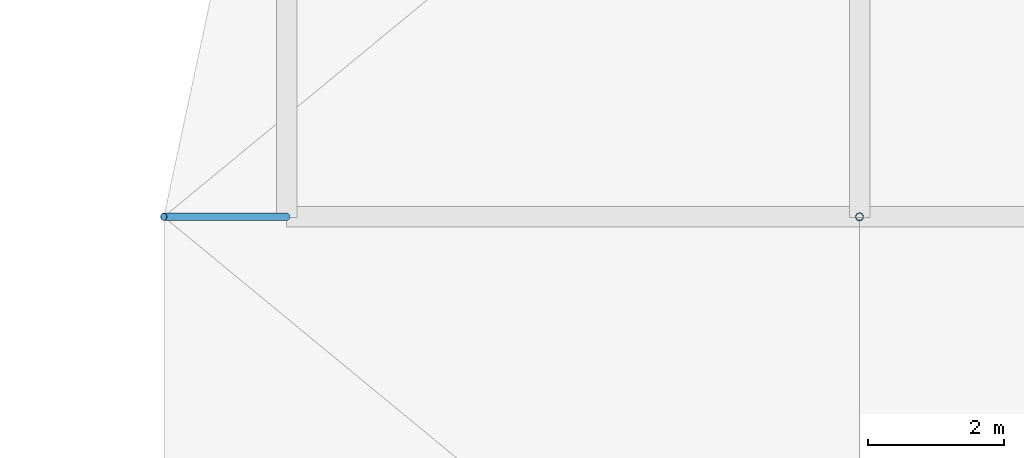
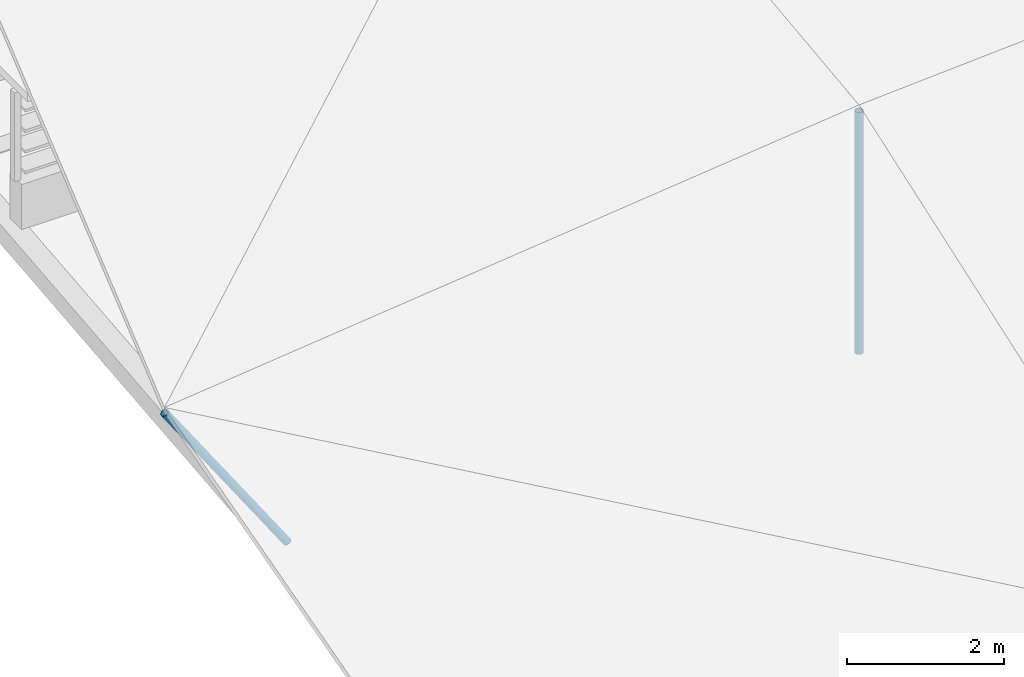
# One storey, part 8 of 46: 2 discrete accessories.
"""IFC4 building model written with IfcOpenShell, lengths in metres."""

import ifcopenshell
import ifcopenshell.guid

model = None  # the IFC model being written
_history = None  # IfcOwnerHistory: only IFC2X3 demands one
_inside = {}  # id of a spatial element -> (the spatial element, [elements in it])
_under = {}  # id of a project, library or spatial element -> (it, [spatial elements below it])
_declared = {}  # id of a project -> (the project, [libraries it declares])
_typed = {}  # id of a type object -> (the type object, [elements of that type])
_made_of = {}  # id of a material, layer set ... -> (it, [elements and type objects made of it])


def new_model(schema):
    """Start an empty IFC model of exactly this schema.

    Asked for "IFC4X3", IfcOpenShell would pick the latest addendum, in which some entities
    have other attributes; the version numbers below select the first issue.
    IFC2X3 requires an IfcOwnerHistory on every rooted entity: one is made here for all.
    """
    global model, _history
    if schema == "IFC4X3":
        model = ifcopenshell.file(schema_version=(4, 3, 0, 0))
    else:
        model = ifcopenshell.file(schema=schema)
    _inside.clear()
    _under.clear()
    _declared.clear()
    _typed.clear()
    _made_of.clear()
    _history = None
    if model.schema == "IFC2X3":
        org = make("IfcOrganization", Name="unknown")
        user = make(
            "IfcPersonAndOrganization",
            ThePerson=make("IfcPerson", FamilyName="unknown"),
            TheOrganization=org,
        )
        app = make(
            "IfcApplication",
            ApplicationDeveloper=org,
            Version="unknown",
            ApplicationFullName="unknown",
            ApplicationIdentifier="unknown",
        )
        _history = make(
            "IfcOwnerHistory",
            OwningUser=user,
            OwningApplication=app,
            ChangeAction="ADDED",
            CreationDate=0,
        )
    return model


def make(cls, **values):
    """One entity of the class cls with the attributes given. An attribute that is None is left unset."""
    return model.create_entity(
        cls, **{name: value for name, value in values.items() if value is not None}
    )


def rooted(cls, **values):
    """An entity with a GlobalId (a new one), such as an element, a storey or a relation."""
    return make(cls, GlobalId=ifcopenshell.guid.new(), OwnerHistory=_history, **values)


def si_unit(unit_type, name, prefix=None):
    """IfcSIUnit, for example si_unit("LENGTHUNIT", "METRE", prefix="MILLI")."""
    return make("IfcSIUnit", UnitType=unit_type, Prefix=prefix, Name=name)


def assignment(units):
    """IfcUnitAssignment: the units of a project."""
    return None if units is None else make("IfcUnitAssignment", Units=units)


def point(xyz):
    """IfcCartesianPoint."""
    return None if xyz is None else make("IfcCartesianPoint", Coordinates=xyz)


def direction(xyz):
    """IfcDirection."""
    return None if xyz is None else make("IfcDirection", DirectionRatios=xyz)


def frame(location, z_axis=None, x_axis=None):
    """IfcAxis2Placement3D, a coordinate frame: its origin and axes. An axis left out is left unset."""
    return make(
        "IfcAxis2Placement3D",
        Location=point(location),
        Axis=direction(z_axis),
        RefDirection=direction(x_axis),
    )


def frame_2d(location, x_axis=None):
    """IfcAxis2Placement2D, a coordinate frame in the plane: its origin and x axis."""
    return make(
        "IfcAxis2Placement2D", Location=point(location), RefDirection=direction(x_axis)
    )


def origin():
    """The frame at (0, 0, 0) with its axes left unset."""
    return frame((0.0, 0.0, 0.0))


def origin_2d():
    """The frame at (0, 0) in the plane with its x axis left unset."""
    return frame_2d((0.0, 0.0))


def place(relative_to, where):
    """IfcLocalPlacement: puts the frame where relative to a parent placement (None: the world)."""
    return make(
        "IfcLocalPlacement", PlacementRelTo=relative_to, RelativePlacement=where
    )


def context(
    kind, dimensions, precision=None, world=None, true_north=None, identifier=None
):
    """IfcGeometricRepresentationContext, for example the 3D "Model" context."""
    return make(
        "IfcGeometricRepresentationContext",
        ContextIdentifier=identifier,
        ContextType=kind,
        CoordinateSpaceDimension=dimensions,
        Precision=precision,
        WorldCoordinateSystem=world,
        TrueNorth=true_north,
    )


def subcontext(parent, identifier, kind, view, scale=None):
    """IfcGeometricRepresentationSubContext, for example "Body" below "Model"."""
    return make(
        "IfcGeometricRepresentationSubContext",
        ContextIdentifier=identifier,
        ContextType=kind,
        ParentContext=parent,
        TargetScale=scale,
        TargetView=view,
    )


def project(units=None, contexts=None):
    """IfcProject with its units and contexts."""
    return rooted(
        "IfcProject",
        Name="project",
        RepresentationContexts=contexts,
        UnitsInContext=assignment(units),
    )


def spatial(cls, under=None, at=None, **own):
    """A site, building, storey or space (cls), placed at a placement, below another one or the project."""
    s = rooted(cls, ObjectPlacement=at, **own)
    if under is not None:
        _under.setdefault(under.id(), (under, []))[1].append(s)
    return s


def profile(cls, at=None, kind="AREA", **sizes):
    """A parametric profile (cls). Its sizes go by their IFC names, for example OverallWidth=200.0."""
    return make(cls, ProfileType=kind, Position=at, **sizes)


def hollow_circle(**sizes):
    """IfcCircleHollowProfileDef."""
    return profile("IfcCircleHollowProfileDef", **sizes)


def extrude(swept, where, along, depth):
    """IfcExtrudedAreaSolid: the profile swept, set in the frame where, extruded along a direction by depth."""
    return make(
        "IfcExtrudedAreaSolid",
        SweptArea=swept,
        Position=where,
        ExtrudedDirection=direction(along),
        Depth=depth,
    )


def shape(context_of_items, identifier, shape_type, items):
    """IfcShapeRepresentation: the items that make up one representation, for example the "Body"."""
    return make(
        "IfcShapeRepresentation",
        ContextOfItems=context_of_items,
        RepresentationIdentifier=identifier,
        RepresentationType=shape_type,
        Items=items,
    )


def material(Name=None, Category=None):
    """IfcMaterial."""
    return make("IfcMaterial", Name=Name, Category=Category)


def material_profile(
    of_material, cross_section, Name=None, Category=None, Priority=None
):
    """IfcMaterialProfile: a cross section and its material."""
    return make(
        "IfcMaterialProfile",
        Name=Name,
        Material=of_material,
        Profile=cross_section,
        Priority=Priority,
        Category=Category,
    )


def profile_set(profiles, Name=None, composite=None):
    """IfcMaterialProfileSet."""
    return make(
        "IfcMaterialProfileSet",
        Name=Name,
        MaterialProfiles=profiles,
        CompositeProfile=composite,
    )


def made_of(thing, what):
    """Note that an element or type object is made of a material, layer set ...; save() writes the relation."""
    if what is not None:
        _made_of.setdefault(what.id(), (what, []))[1].append(thing)
    return thing


def type_object(cls, material=None, **own):
    """A type object (cls), such as IfcWallType, which elements share."""
    return made_of(rooted(cls, **own), material)


def element(
    cls,
    number,
    at=None,
    inside=None,
    cuts=None,
    type_object=None,
    material=None,
    context=None,
    identifier="Body",
    shape_type=None,
    held_by="IfcProductDefinitionShape",
    body=None,
    shapes=None,
    **own,
):
    """One element of the class cls, such as IfcWall. Its Tag is "e" and its number.

    at: its placement. inside: the storey or other place that contains it. cuts: it is an
    opening in that element (IfcRelVoidsElement). A single representation is given by context,
    identifier, shape_type and body (its items); several are given by shapes. held_by: the class
    of the entity that holds the representations. save() writes the other relations.
    """
    e = rooted(cls, Tag="e%d" % number, ObjectPlacement=at, **own)
    if body is not None:
        shapes = [shape(context, identifier, shape_type, body)]
    if shapes is not None:
        e.Representation = make(held_by, Representations=shapes)
    if inside is not None:
        _inside.setdefault(inside.id(), (inside, []))[1].append(e)
    if cuts is not None:
        rooted(
            "IfcRelVoidsElement", RelatingBuildingElement=cuts, RelatedOpeningElement=e
        )
    if type_object is not None:
        _typed.setdefault(type_object.id(), (type_object, []))[1].append(e)
    return made_of(e, material)


def aggregate(whole, parts):
    """IfcRelAggregates: a whole, such as a stair, and the parts it consists of."""
    return rooted("IfcRelAggregates", RelatingObject=whole, RelatedObjects=parts)


def save(model, path):
    """Write the relations noted so far, then the file.

    IfcRelAggregates (storeys below a building ...), IfcRelContainedInSpatialStructure (elements
    in a storey), IfcRelDefinesByType, IfcRelAssociatesMaterial and IfcRelDeclares: one each for
    every whole, place, type object, material and project.
    """
    for whole, parts in _under.values():
        aggregate(whole, parts)
    for where, things in _inside.values():
        rooted(
            "IfcRelContainedInSpatialStructure",
            RelatedElements=things,
            RelatingStructure=where,
        )
    for kind, things in _typed.values():
        rooted("IfcRelDefinesByType", RelatedObjects=things, RelatingType=kind)
    for what, things in _made_of.values():
        rooted("IfcRelAssociatesMaterial", RelatedObjects=things, RelatingMaterial=what)
    for by, libraries in _declared.values():
        rooted("IfcRelDeclares", RelatingContext=by, RelatedDefinitions=libraries)
    model.write(path)


model = new_model("IFC4")

# Units and contexts
model_context = context("Model", 3, precision=1e-05, world=origin(), true_north=direction((0.0, 1.0)))
body_context = subcontext(model_context, "Body", "Model", "MODEL_VIEW")
ifc_project = project(units=[si_unit("LENGTHUNIT", "METRE"), si_unit("AREAUNIT", "SQUARE_METRE"), si_unit("VOLUMEUNIT", "CUBIC_METRE"), si_unit("PLANEANGLEUNIT", "RADIAN"), si_unit("MASSUNIT", "GRAM", prefix="KILO")], contexts=[model_context])

# Site, building, storey
site_placement = place(None, origin())
site = spatial("IfcSite", under=ifc_project, at=site_placement, CompositionType="ELEMENT")
building_placement = place(site_placement, origin())
building = spatial("IfcBuilding", under=site, at=building_placement, Name="Rain Tree Exposition and Congress Centre", CompositionType="ELEMENT")
storey_placement = place(building_placement, frame((0.0, 0.0, 27.0)))
storey = spatial("IfcBuildingStorey", under=building, at=storey_placement, Name="ROOF VAULT CREST", CompositionType="ELEMENT", Elevation=27.0)

# Discrete accessories
ifc_material = material(Name="Steel S355J2H", Category="steel")
ifc_material_profile = material_profile(ifc_material, hollow_circle(Radius=0.05712890625, WallThickness=0.00439453125, at=origin_2d()), Name="CHS 114x4.5")
ifc_profile_set = profile_set([ifc_material_profile], Name="Steel S355J2H")
discrete_accessory_type = type_object("IfcDiscreteAccessoryType", Name="Roof skin post CHS 114x4.5", PredefinedType="BRACKET", material=ifc_profile_set)
discrete_accessory_1_placement = place(storey_placement, frame((142.800048828125, 117.60009765625, 0.551025390625), z_axis=(-0.564502749838, 0.0, 0.825431187577), x_axis=(0.0, -1.0, 0.0)))
element("IfcDiscreteAccessory", 1, at=discrete_accessory_1_placement, inside=storey, type_object=discrete_accessory_type, Name="Roof skin post B27", PredefinedType="BRACKET", context=body_context, shape_type="SweptSolid", body=[
    extrude(hollow_circle(Radius=0.05712890625, WallThickness=0.00439453125, at=origin_2d()), origin(), (0.0, 0.0, 1.0), 3.188720703125),
])
discrete_accessory_2_placement = place(storey_placement, frame((151.199951171875, 117.60009765625, 0.551025390625), z_axis=(0.0, 0.0, 1.0), x_axis=(1.0, 0.0, 0.0)))
element("IfcDiscreteAccessory", 2, at=discrete_accessory_2_placement, inside=storey, type_object=discrete_accessory_type, Name="Roof skin post B28", PredefinedType="BRACKET", context=body_context, shape_type="SweptSolid", body=[
    extrude(hollow_circle(Radius=0.05712890625, WallThickness=0.00439453125, at=origin_2d()), origin(), (0.0, 0.0, 1.0), 3.75830078125),
])

save(model, "model.ifc")
